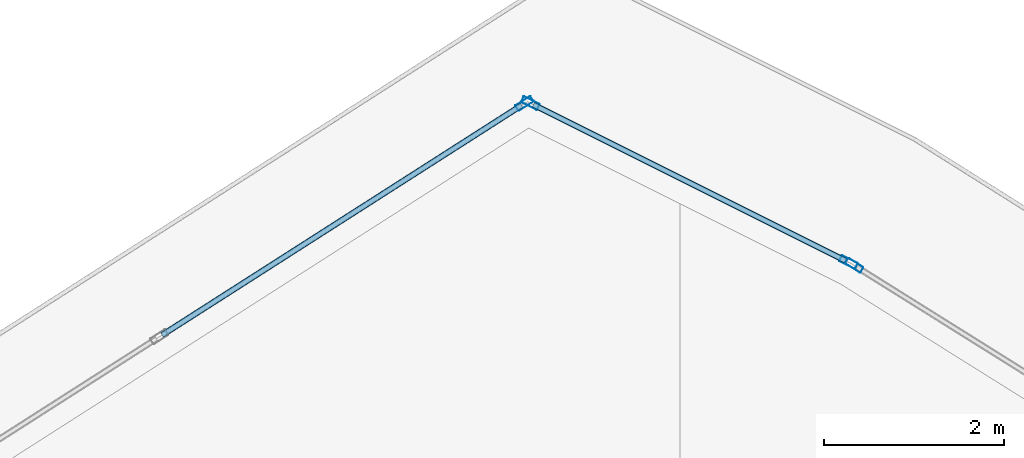
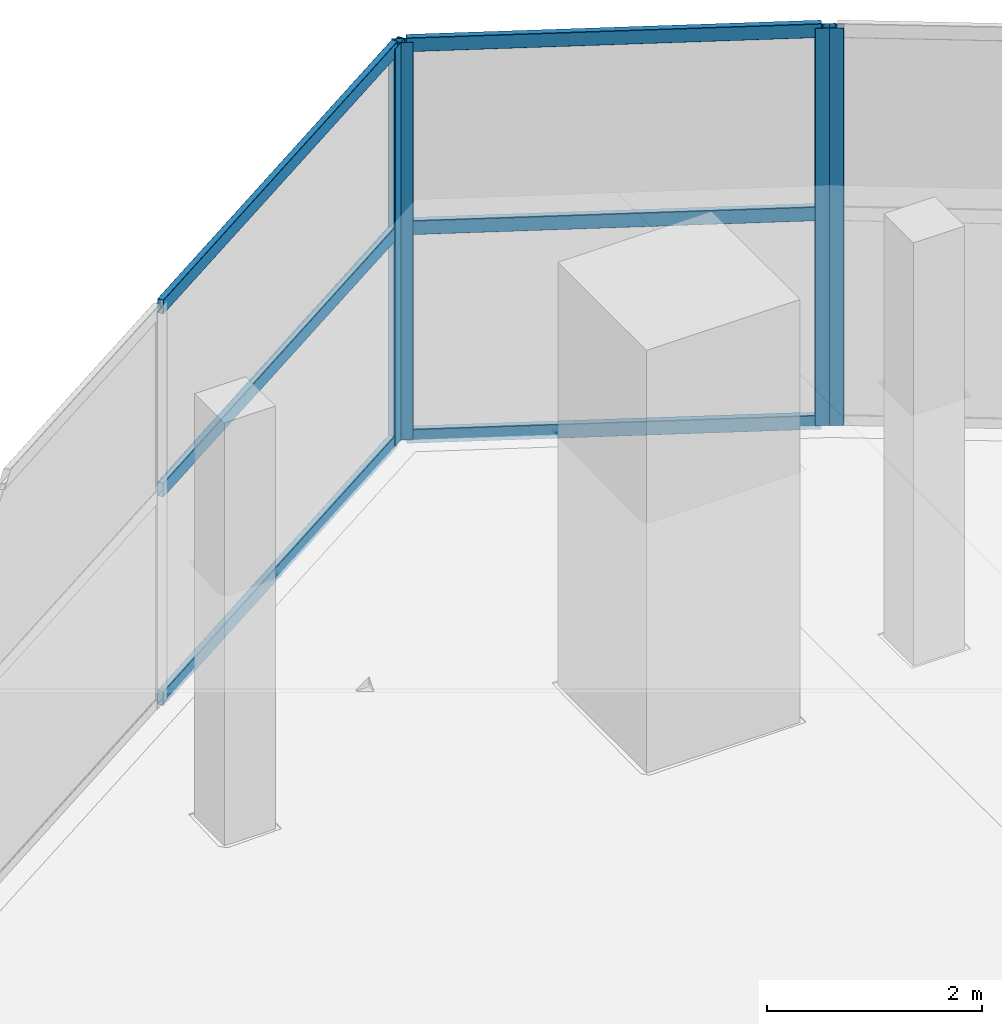
# One storey, part 23 of 36: 10 members, 3 elements without a shape of their own.
"""IFC4 building model written with IfcOpenShell, lengths in metres."""

from ifc_helpers import new_model, si_unit, direction, frame, origin, origin_2d, place, context, subcontext, project, spatial, hollow_rectangle, extrude, material, layer, layer_set, material_profile, profile_set, type_object, element, aggregate, save


model = new_model("IFC4")

# Units and contexts
model_context = context("Model", 3, precision=1e-05, world=origin(), true_north=direction((0.0, 1.0)))
body_context = subcontext(model_context, "Body", "Model", "MODEL_VIEW")
ifc_project = project(units=[si_unit("LENGTHUNIT", "METRE"), si_unit("AREAUNIT", "SQUARE_METRE"), si_unit("VOLUMEUNIT", "CUBIC_METRE"), si_unit("PLANEANGLEUNIT", "RADIAN"), si_unit("MASSUNIT", "GRAM", prefix="KILO")], contexts=[model_context])

# Site, building, storey
site_placement = place(None, origin())
site = spatial("IfcSite", under=ifc_project, at=site_placement, CompositionType="ELEMENT")
building_placement = place(site_placement, origin())
building = spatial("IfcBuilding", under=site, at=building_placement, Name="Qorvath Tower", CompositionType="ELEMENT")
storey_placement = place(building_placement, frame((0.0, 0.0, 255.0)))
storey = spatial("IfcBuildingStorey", under=building, at=storey_placement, Name="L59", CompositionType="ELEMENT", Elevation=255.0)

# Curtain wall, member
ifc_material_1 = material(Name="Anodised aluminium and triple low-E glass", Category="aluminium")
ifc_layer = layer(ifc_material_1, 0.179931640625)
ifc_layer_set = layer_set([ifc_layer], Name="CW-SYS-5")
curtain_wall_type = type_object("IfcCurtainWallType", Name="CW-SYS-5", PredefinedType="NOTDEFINED", material=ifc_layer_set)
curtain_wall_1_placement = place(storey_placement, origin())
curtain_wall_1 = element("IfcCurtainWall", 1, at=curtain_wall_1_placement, inside=storey, type_object=curtain_wall_type, Name="Curtain Wall CW-5 CW-T-L59-14.1", PredefinedType="NOTDEFINED")
ifc_material_2 = material(Name="Anodised aluminium 6063-T6", Category="aluminium")
ifc_material_profile_1 = material_profile(ifc_material_2, hollow_rectangle(XDim=0.074951171875, YDim=0.199951171875, WallThickness=0.00390625, InnerFilletRadius=0.00390625, OuterFilletRadius=0.008056640625, at=origin_2d()), Name="CWM 200x75")
ifc_profile_set_1 = profile_set([ifc_material_profile_1], Name="Anodised aluminium 6063-T6")
member_type_1 = type_object("IfcMemberType", Name="CWM-200", PredefinedType="MULLION", material=ifc_profile_set_1)
member_1_placement = place(storey_placement, frame((-13.99755859375, 23.322998046875, 0.0), z_axis=(0.0, 0.0, 1.0), x_axis=(-0.530464464721, -0.847707173302, 0.0)))
member_1 = element("IfcMember", 2, at=member_1_placement, type_object=member_type_1, Name="CW-5 mullion 2", PredefinedType="MULLION", context=body_context, shape_type="SweptSolid", body=[
    extrude(hollow_rectangle(XDim=0.074951171875, YDim=0.199951171875, WallThickness=0.00390625, InnerFilletRadius=0.00390625, OuterFilletRadius=0.008056640625, at=origin_2d()), origin(), (0.0, 0.0, 1.0), 4.510009765625),
])
aggregate(curtain_wall_1, [member_1])

# Curtain wall, members
curtain_wall_2_placement = place(storey_placement, origin())
curtain_wall_2 = element("IfcCurtainWall", 3, at=curtain_wall_2_placement, inside=storey, type_object=curtain_wall_type, Name="Curtain Wall CW-5 CW-T-L59-15.1", PredefinedType="NOTDEFINED")
member_2_placement = place(storey_placement, frame((-14.062744140625, 23.359619140625, 0.0), z_axis=(0.0, 0.0, 1.0), x_axis=(-0.44716378264, -0.894452095696, 0.0)))
member_2 = element("IfcMember", 4, at=member_2_placement, type_object=member_type_1, Name="CW-5 mullion 1", PredefinedType="MULLION", context=body_context, shape_type="SweptSolid", body=[
    extrude(hollow_rectangle(XDim=0.074951171875, YDim=0.199951171875, WallThickness=0.00390625, InnerFilletRadius=0.00390625, OuterFilletRadius=0.008056640625, at=origin_2d()), origin(), (0.0, 0.0, 1.0), 4.510009765625),
])
member_3_placement = place(storey_placement, frame((-17.587158203125, 25.121337890625, 0.0), z_axis=(0.0, 0.0, 1.0), x_axis=(-0.44716378264, -0.894452095696, 0.0)))
member_3 = element("IfcMember", 5, at=member_3_placement, type_object=member_type_1, Name="CW-5 mullion 2", PredefinedType="MULLION", context=body_context, shape_type="SweptSolid", body=[
    extrude(hollow_rectangle(XDim=0.074951171875, YDim=0.199951171875, WallThickness=0.00390625, InnerFilletRadius=0.00390625, OuterFilletRadius=0.008056640625, at=origin_2d()), origin(), (0.0, 0.0, 1.0), 4.510009765625),
])

# Curtain wall, member
curtain_wall_3_placement = place(storey_placement, origin())
curtain_wall_3 = element("IfcCurtainWall", 6, at=curtain_wall_3_placement, inside=storey, type_object=curtain_wall_type, Name="Curtain Wall CW-5 CW-T-L59-16.1", PredefinedType="NOTDEFINED")
member_4_placement = place(storey_placement, frame((-17.652099609375, 25.117919921875, 0.0), z_axis=(0.0, 0.0, 1.0), x_axis=(0.538534907106, -0.842603200699, 0.0)))
member_4 = element("IfcMember", 7, at=member_4_placement, type_object=member_type_1, Name="CW-5 mullion 1", PredefinedType="MULLION", context=body_context, shape_type="SweptSolid", body=[
    extrude(hollow_rectangle(XDim=0.074951171875, YDim=0.199951171875, WallThickness=0.00390625, InnerFilletRadius=0.00390625, OuterFilletRadius=0.008056640625, at=origin_2d()), origin(), (0.0, 0.0, 1.0), 4.510009765625),
])

# Member
ifc_material_3 = material(Name="Anodised aluminium 6063-T6", Category="aluminium")
ifc_material_profile_2 = material_profile(ifc_material_3, hollow_rectangle(XDim=0.06494140625, YDim=0.159912109375, WallThickness=0.00341796875, InnerFilletRadius=0.00341796875, OuterFilletRadius=0.007080078125, at=origin_2d()), Name="CWT 160x65")
ifc_profile_set_2 = profile_set([ifc_material_profile_2], Name="Anodised aluminium 6063-T6")
member_type_2 = type_object("IfcMemberType", Name="CWT-160", PredefinedType="USERDEFINED", material=ifc_profile_set_2)
member_5_placement = place(storey_placement, frame((-14.096435546875, 23.376220703125, 0.032470703125), z_axis=(-0.894427191, 0.4472135955, 0.0), x_axis=(-0.4472135955, -0.894427191, 0.0)))
member_5 = element("IfcMember", 8, at=member_5_placement, type_object=member_type_2, Name="CW-5 transom 1.1", ObjectType="TRANSOM", PredefinedType="USERDEFINED", context=body_context, shape_type="SweptSolid", body=[
    extrude(hollow_rectangle(XDim=0.06494140625, YDim=0.159912109375, WallThickness=0.00341796875, InnerFilletRadius=0.00341796875, OuterFilletRadius=0.007080078125, at=origin_2d()), origin(), (0.0, 0.0, 1.0), 3.864990234375),
])

member_6_placement = place(storey_placement, frame((-14.096435546875, 23.376220703125, 2.39990234375), z_axis=(-0.894427191, 0.4472135955, 0.0), x_axis=(-0.4472135955, -0.894427191, 0.0)))
member_6 = element("IfcMember", 9, at=member_6_placement, type_object=member_type_2, Name="CW-5 transom 1.2", ObjectType="TRANSOM", PredefinedType="USERDEFINED", context=body_context, shape_type="SweptSolid", body=[
    extrude(hollow_rectangle(XDim=0.06494140625, YDim=0.159912109375, WallThickness=0.00341796875, InnerFilletRadius=0.00341796875, OuterFilletRadius=0.007080078125, at=origin_2d()), origin(), (0.0, 0.0, 1.0), 3.864990234375),
])

member_7_placement = place(storey_placement, frame((-14.096435546875, 23.376220703125, 4.4775390625), z_axis=(-0.894427191, 0.4472135955, 0.0), x_axis=(-0.4472135955, -0.894427191, 0.0)))
member_7 = element("IfcMember", 10, at=member_7_placement, type_object=member_type_2, Name="CW-5 transom 1.3", ObjectType="TRANSOM", PredefinedType="USERDEFINED", context=body_context, shape_type="SweptSolid", body=[
    extrude(hollow_rectangle(XDim=0.06494140625, YDim=0.159912109375, WallThickness=0.00341796875, InnerFilletRadius=0.00341796875, OuterFilletRadius=0.007080078125, at=origin_2d()), origin(), (0.0, 0.0, 1.0), 3.864990234375),
])

aggregate(curtain_wall_2, [member_2, member_3, member_5, member_6, member_7])

member_8_placement = place(storey_placement, frame((-17.683837890625, 25.097900390625, 0.032470703125), z_axis=(-0.842605129906, -0.538531888616, 0.0), x_axis=(0.538531888616, -0.842605129906, 0.0)))
member_8 = element("IfcMember", 11, at=member_8_placement, type_object=member_type_2, Name="CW-5 transom 1.1", ObjectType="TRANSOM", PredefinedType="USERDEFINED", context=body_context, shape_type="SweptSolid", body=[
    extrude(hollow_rectangle(XDim=0.06494140625, YDim=0.159912109375, WallThickness=0.00341796875, InnerFilletRadius=0.00341796875, OuterFilletRadius=0.007080078125, at=origin_2d()), origin(), (0.0, 0.0, 1.0), 4.7275390625),
])

member_9_placement = place(storey_placement, frame((-17.683837890625, 25.097900390625, 2.39990234375), z_axis=(-0.842605129906, -0.538531888616, 0.0), x_axis=(0.538531888616, -0.842605129906, 0.0)))
member_9 = element("IfcMember", 12, at=member_9_placement, type_object=member_type_2, Name="CW-5 transom 1.2", ObjectType="TRANSOM", PredefinedType="USERDEFINED", context=body_context, shape_type="SweptSolid", body=[
    extrude(hollow_rectangle(XDim=0.06494140625, YDim=0.159912109375, WallThickness=0.00341796875, InnerFilletRadius=0.00341796875, OuterFilletRadius=0.007080078125, at=origin_2d()), origin(), (0.0, 0.0, 1.0), 4.7275390625),
])

member_10_placement = place(storey_placement, frame((-17.683837890625, 25.097900390625, 4.4775390625), z_axis=(-0.842605129906, -0.538531888616, 0.0), x_axis=(0.538531888616, -0.842605129906, 0.0)))
member_10 = element("IfcMember", 13, at=member_10_placement, type_object=member_type_2, Name="CW-5 transom 1.3", ObjectType="TRANSOM", PredefinedType="USERDEFINED", context=body_context, shape_type="SweptSolid", body=[
    extrude(hollow_rectangle(XDim=0.06494140625, YDim=0.159912109375, WallThickness=0.00341796875, InnerFilletRadius=0.00341796875, OuterFilletRadius=0.007080078125, at=origin_2d()), origin(), (0.0, 0.0, 1.0), 4.7275390625),
])

aggregate(curtain_wall_3, [member_4, member_8, member_9, member_10])

save(model, "model.ifc")
